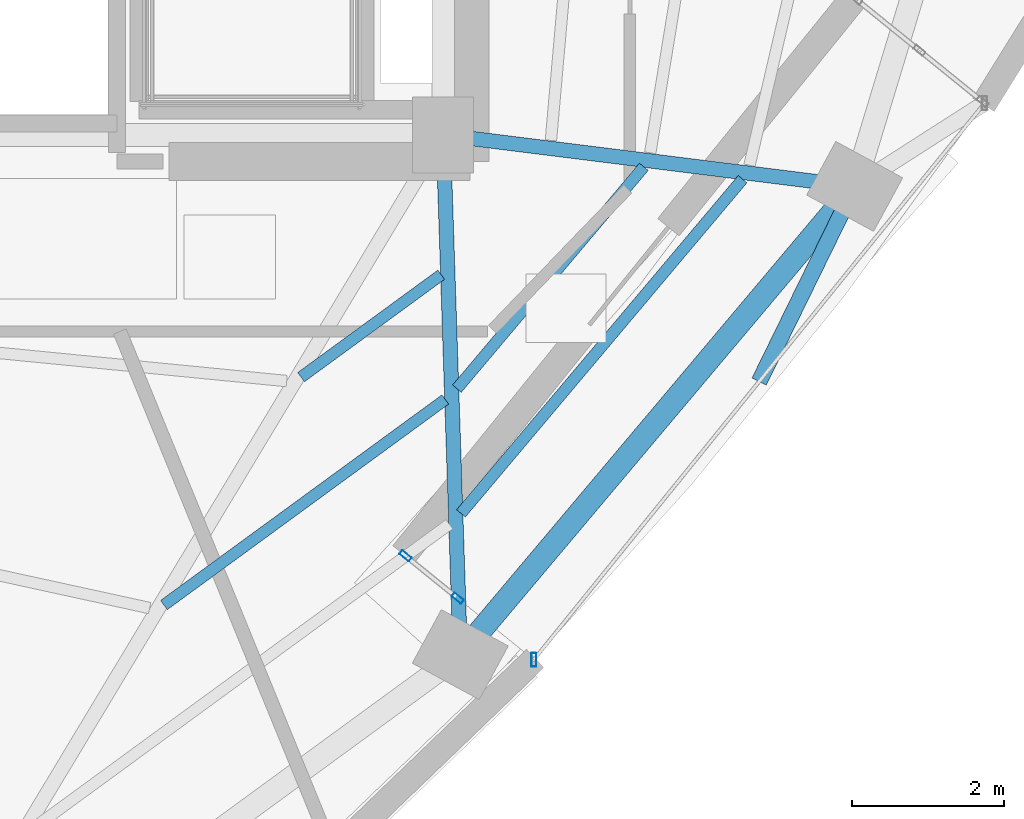
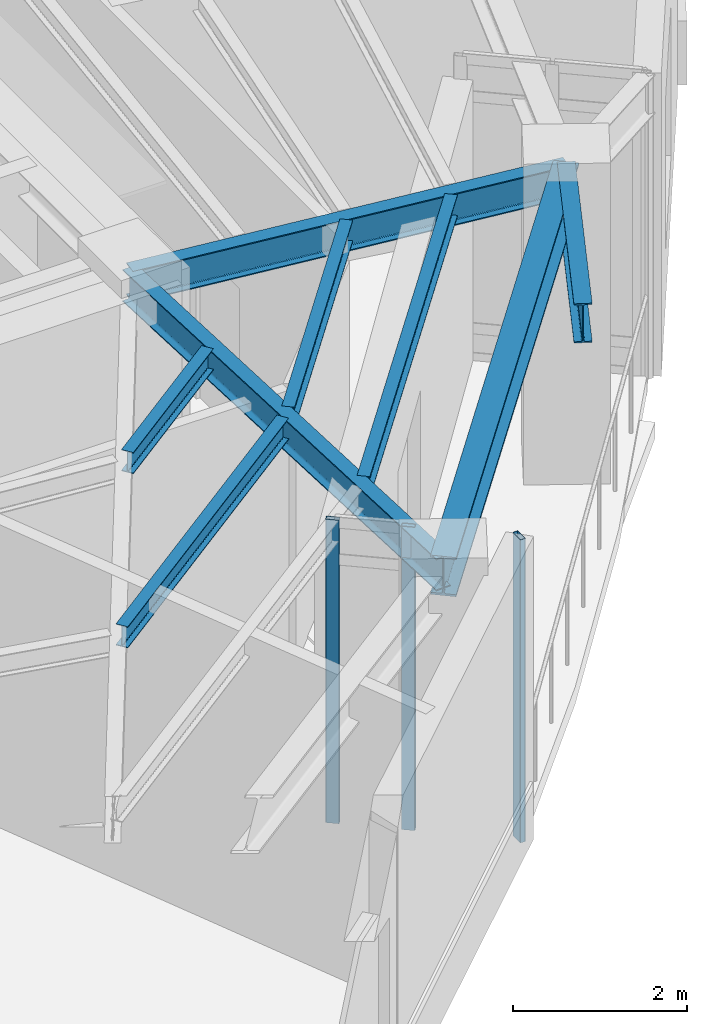
# One storey, part 2 of 14: 8 beams, 3 members, 1 element without a shape of its own.
"""IFC4 building model written with IfcOpenShell, lengths in metres."""

from ifc_helpers import new_model, si_unit, direction, frame, origin, origin_2d, place, context, subcontext, project, spatial, hollow_rectangle, i_section, extrude, material, layer, layer_set, material_profile, profile_set, type_object, element, aggregate, save


model = new_model("IFC4")

# Units and contexts
model_context = context("Model", 3, precision=1e-05, world=origin(), true_north=direction((0.0, 1.0)))
body_context = subcontext(model_context, "Body", "Model", "MODEL_VIEW")
ifc_project = project(units=[si_unit("LENGTHUNIT", "METRE"), si_unit("AREAUNIT", "SQUARE_METRE"), si_unit("VOLUMEUNIT", "CUBIC_METRE"), si_unit("PLANEANGLEUNIT", "RADIAN"), si_unit("MASSUNIT", "GRAM", prefix="KILO")], contexts=[model_context])

# Site, building, storey
site_placement = place(None, origin())
site = spatial("IfcSite", under=ifc_project, at=site_placement, CompositionType="ELEMENT")
building_placement = place(site_placement, origin())
building = spatial("IfcBuilding", under=site, at=building_placement, Name="Ndelora Gate Hotel", CompositionType="ELEMENT")
storey_placement = place(building_placement, frame((0.0, 0.0, 178.25)))
storey = spatial("IfcBuildingStorey", under=building, at=storey_placement, Name="L44", CompositionType="ELEMENT", Elevation=178.25)

# Beams
ifc_material_1 = material(Name="Steel S355", Category="steel")
ifc_material_profile_1 = material_profile(ifc_material_1, i_section(OverallWidth=0.14990234375, OverallDepth=0.300048828125, WebThickness=0.007080078125, FlangeThickness=0.0107421875, FilletRadius=0.014892578125, at=origin_2d()), Name="IPE 300")
ifc_profile_set_1 = profile_set([ifc_material_profile_1], Name="Steel S355")
beam_type_1 = type_object("IfcBeamType", Name="BM-JST-300", PredefinedType="JOIST", material=ifc_profile_set_1)
beam_1_placement = place(storey_placement, frame((6.134521484375, -9.77880859375, 4.10009765625), z_axis=(0.80739897839, 0.590005838696, 0.0), x_axis=(-0.590005838696, 0.80739897839, 0.0)))
element("IfcBeam", 1, at=beam_1_placement, inside=storey, type_object=beam_type_1, Name="L44 Secondary Composite Floor Joist IN-5", PredefinedType="JOIST", context=body_context, shape_type="SweptSolid", body=[
    extrude(i_section(OverallWidth=0.14990234375, OverallDepth=0.300048828125, WebThickness=0.007080078125, FlangeThickness=0.0107421875, FilletRadius=0.014892578125, at=origin_2d()), origin(), (0.0, 0.0, 1.0), 2.277587890625),
])
beam_2_placement = place(storey_placement, frame((4.33447265625, -12.77001953125, 4.10009765625), z_axis=(0.807439047151, 0.589951002318, 0.0), x_axis=(-0.589951002318, 0.807439047151, 0.0)))
element("IfcBeam", 2, at=beam_2_placement, inside=storey, type_object=beam_type_1, Name="L44 Secondary Composite Floor Joist MID-5", PredefinedType="JOIST", context=body_context, shape_type="SweptSolid", body=[
    extrude(i_section(OverallWidth=0.14990234375, OverallDepth=0.300048828125, WebThickness=0.007080078125, FlangeThickness=0.0107421875, FilletRadius=0.014892578125, at=origin_2d()), origin(), (0.0, 0.0, 1.0), 4.5732421875),
])
beam_3_placement = place(storey_placement, frame((8.1796875, -9.9296875, 4.10009765625), z_axis=(0.644319387893, 0.764756514444, 0.0), x_axis=(-0.764756514444, 0.644319387893, 0.0)))
element("IfcBeam", 3, at=beam_3_placement, inside=storey, type_object=beam_type_1, Name="L44 Secondary Composite Floor Joist MID-6", PredefinedType="JOIST", context=body_context, shape_type="SweptSolid", body=[
    extrude(i_section(OverallWidth=0.14990234375, OverallDepth=0.300048828125, WebThickness=0.007080078125, FlangeThickness=0.0107421875, FilletRadius=0.014892578125, at=origin_2d()), origin(), (0.0, 0.0, 1.0), 3.806884765625),
])
beam_4_placement = place(storey_placement, frame((8.2333984375, -11.56640625, 4.10009765625), z_axis=(0.644324492463, 0.764752213735, 0.0), x_axis=(-0.764752213735, 0.644324492463, 0.0)))
element("IfcBeam", 4, at=beam_4_placement, inside=storey, type_object=beam_type_1, Name="L44 Secondary Composite Floor Joist OUT-6", PredefinedType="JOIST", context=body_context, shape_type="SweptSolid", body=[
    extrude(i_section(OverallWidth=0.14990234375, OverallDepth=0.300048828125, WebThickness=0.007080078125, FlangeThickness=0.0107421875, FilletRadius=0.014892578125, at=origin_2d()), origin(), (0.0, 0.0, 1.0), 5.735107421875),
])
ifc_material_profile_2 = material_profile(ifc_material_1, i_section(OverallWidth=0.18994140625, OverallDepth=0.449951171875, WebThickness=0.009521484375, FlangeThickness=0.0146484375, FilletRadius=0.02099609375, at=origin_2d()), Name="IPE 450")
ifc_profile_set_2 = profile_set([ifc_material_profile_2], Name="Steel S355")
beam_type_2 = type_object("IfcBeamType", Name="BM-RAD-450", PredefinedType="BEAM", material=ifc_profile_set_2)
beam_5_placement = place(storey_placement, frame((8.0, -6.60009765625, 4.02490234375), z_axis=(0.032809705109, -0.999461616697, 0.0), x_axis=(0.999461616697, 0.032809705109, 0.0)))
element("IfcBeam", 5, at=beam_5_placement, inside=storey, type_object=beam_type_2, Name="L44 Radial Floor Girder 6", PredefinedType="BEAM", context=body_context, shape_type="SweptSolid", body=[
    extrude(i_section(OverallWidth=0.18994140625, OverallDepth=0.449951171875, WebThickness=0.009521484375, FlangeThickness=0.0146484375, FilletRadius=0.02099609375, at=origin_2d()), origin(), (0.0, 0.0, 1.0), 6.823486328125),
])
beam_6_placement = place(storey_placement, frame((8.0, -6.60009765625, 4.02490234375), z_axis=(0.992266830725, -0.124123070552, 0.0), x_axis=(0.124123070552, 0.992266830725, 0.0)))
element("IfcBeam", 6, at=beam_6_placement, inside=storey, type_object=beam_type_2, Name="L44 Radial Floor Girder 7", PredefinedType="BEAM", context=body_context, shape_type="SweptSolid", body=[
    extrude(i_section(OverallWidth=0.18994140625, OverallDepth=0.449951171875, WebThickness=0.009521484375, FlangeThickness=0.0146484375, FilletRadius=0.02099609375, at=origin_2d()), origin(), (0.0, 0.0, 1.0), 5.4423828125),
])
ifc_material_profile_3 = material_profile(ifc_material_1, i_section(OverallWidth=0.2099609375, OverallDepth=0.550048828125, WebThickness=0.010986328125, FlangeThickness=0.01708984375, FilletRadius=0.02392578125, at=origin_2d()), Name="IPE 550")
ifc_profile_set_3 = profile_set([ifc_material_profile_3], Name="Steel S355")
beam_type_3 = type_object("IfcBeamType", Name="BM-RAD-550", PredefinedType="BEAM", material=ifc_profile_set_3)
beam_7_placement = place(storey_placement, frame((13.400390625, -7.275634765625, 3.97509765625), z_axis=(-0.439730722676, -0.898129662986, 0.0), x_axis=(0.898129662986, -0.439730722676, 0.0)))
element("IfcBeam", 7, at=beam_7_placement, inside=storey, type_object=beam_type_3, Name="L44 Sky-Garden Loggia Column Bracket 2", PredefinedType="BEAM", context=body_context, shape_type="SweptSolid", body=[
    extrude(i_section(OverallWidth=0.2099609375, OverallDepth=0.550048828125, WebThickness=0.010986328125, FlangeThickness=0.01708984375, FilletRadius=0.02392578125, at=origin_2d()), origin(), (0.0, 0.0, 1.0), 2.85107421875),
])
ifc_material_profile_4 = material_profile(ifc_material_1, i_section(OverallWidth=0.300048828125, OverallDepth=0.550048828125, WebThickness=0.014892578125, FlangeThickness=0.029052734375, FilletRadius=0.027099609375, at=origin_2d()), Name="HEB 550")
ifc_profile_set_4 = profile_set([ifc_material_profile_4], Name="Steel S355")
beam_type_4 = type_object("IfcBeamType", Name="BM-RING-550", PredefinedType="SPANDREL", material=ifc_profile_set_4)
beam_8_placement = place(storey_placement, frame((8.223876953125, -13.419921875, 3.97509765625), z_axis=(0.644308845181, 0.764765396721, 0.0), x_axis=(-0.764765396721, 0.644308845181, 0.0)))
element("IfcBeam", 8, at=beam_8_placement, inside=storey, type_object=beam_type_4, Name="L44 Perimeter Spandrel Girder 6", PredefinedType="SPANDREL", context=body_context, shape_type="SweptSolid", body=[
    extrude(i_section(OverallWidth=0.300048828125, OverallDepth=0.550048828125, WebThickness=0.014892578125, FlangeThickness=0.029052734375, FilletRadius=0.027099609375, at=origin_2d()), origin(), (0.0, 0.0, 1.0), 8.0341796875),
])

# Curtain wall, members
ifc_material_2 = material(Name="Bronze Anodised Unitised Aluminium and Low-E Glass", Category="aluminium")
ifc_layer = layer(ifc_material_2, 0.199951171875)
ifc_layer_set = layer_set([ifc_layer], Name="Bronze Anodised Unitised Aluminium and Low-E Glass")
curtain_wall_type = type_object("IfcCurtainWallType", Name="CW-SYS-3", PredefinedType="NOTDEFINED", material=ifc_layer_set)
curtain_wall_placement = place(storey_placement, origin())
curtain_wall = element("IfcCurtainWall", 9, at=curtain_wall_placement, inside=storey, type_object=curtain_wall_type, Name="L44 Sky-Garden Loggia Side Curtain Wall CW3-1", PredefinedType="NOTDEFINED")
ifc_material_3 = material(Name="Bronze Anodised Aluminium 6063-T6", Category="aluminium")
ifc_material_profile_5 = material_profile(ifc_material_3, hollow_rectangle(XDim=0.06494140625, YDim=0.159912109375, WallThickness=0.00390625, InnerFilletRadius=0.00390625, OuterFilletRadius=0.008056640625, at=origin_2d()), Name="ALU 160x65x4")
ifc_profile_set_5 = profile_set([ifc_material_profile_5], Name="Bronze Anodised Aluminium 6063-T6")
member_type_1 = type_object("IfcMemberType", Name="MB-CW-MUL150", PredefinedType="MULLION", material=ifc_profile_set_5)
member_1_placement = place(storey_placement, frame((7.50439453125, -12.124755859375, -0.00390625), z_axis=(0.0, 0.0, 1.0), x_axis=(0.629331851134, 0.777136681124, 0.0)))
member_1 = element("IfcMember", 10, at=member_1_placement, type_object=member_type_1, Name="CW3 mullion 1", PredefinedType="MULLION", context=body_context, shape_type="SweptSolid", body=[
    extrude(hollow_rectangle(XDim=0.06494140625, YDim=0.159912109375, WallThickness=0.00390625, InnerFilletRadius=0.00390625, OuterFilletRadius=0.008056640625, at=origin_2d()), origin(), (0.0, 0.0, 1.0), 4.2578125),
])
member_2_placement = place(storey_placement, frame((8.18994140625, -12.679931640625, -0.00390625), z_axis=(0.0, 0.0, 1.0), x_axis=(0.629331851134, 0.777136681124, 0.0)))
member_2 = element("IfcMember", 11, at=member_2_placement, type_object=member_type_1, Name="CW3 mullion 2", PredefinedType="MULLION", context=body_context, shape_type="SweptSolid", body=[
    extrude(hollow_rectangle(XDim=0.06494140625, YDim=0.159912109375, WallThickness=0.00390625, InnerFilletRadius=0.00390625, OuterFilletRadius=0.008056640625, at=origin_2d()), origin(), (0.0, 0.0, 1.0), 4.2578125),
])
ifc_material_profile_6 = material_profile(ifc_material_3, hollow_rectangle(XDim=0.070068359375, YDim=0.179931640625, WallThickness=0.0048828125, InnerFilletRadius=0.0048828125, OuterFilletRadius=0.010009765625, at=origin_2d()), Name="ALU 180x70x5")
ifc_profile_set_6 = profile_set([ifc_material_profile_6], Name="Bronze Anodised Aluminium 6063-T6")
member_type_2 = type_object("IfcMemberType", Name="MB-CW-MUL180", PredefinedType="MULLION", material=ifc_profile_set_6)
member_3_placement = place(storey_placement, frame((9.18896484375, -13.48876953125, 0.0), z_axis=(0.0, 0.0, 1.0), x_axis=(1.0, 0.0, 0.0)))
member_3 = element("IfcMember", 12, at=member_3_placement, type_object=member_type_2, Name="L44 Sky-Garden Loggia Corner Mullion Post 1", PredefinedType="MULLION", context=body_context, shape_type="SweptSolid", body=[
    extrude(hollow_rectangle(XDim=0.070068359375, YDim=0.179931640625, WallThickness=0.0048828125, InnerFilletRadius=0.0048828125, OuterFilletRadius=0.010009765625, at=origin_2d()), origin(), (0.0, 0.0, 1.0), 4.25),
])
aggregate(curtain_wall, [member_1, member_2, member_3])

save(model, "model.ifc")
